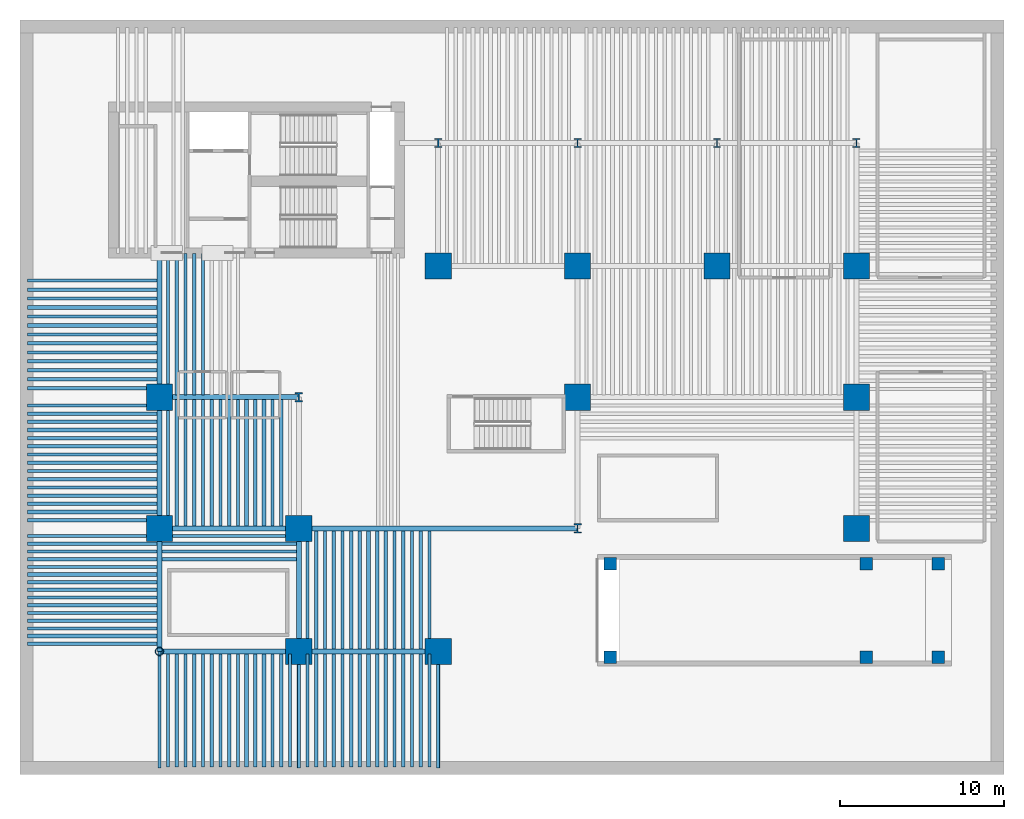
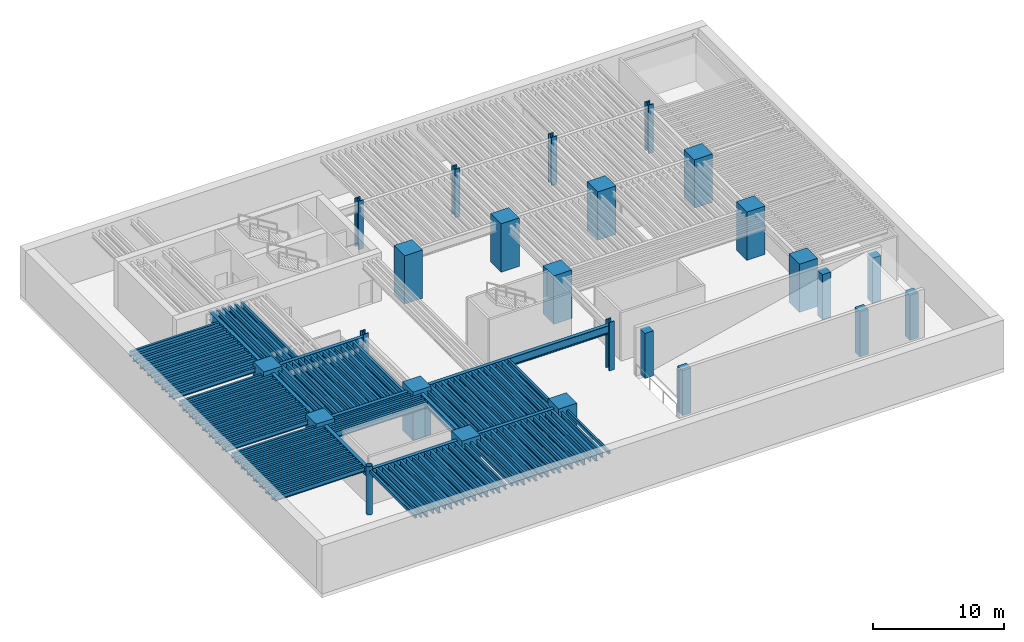
# One storey, part 1 of 9: 123 beams, 25 columns.
"""IFC4 building model written with IfcOpenShell, lengths in metres."""

from ifc_helpers import new_model, si_unit, direction, frame, origin, origin_2d, place, context, subcontext, project, spatial, rectangle, hollow_rectangle, hollow_circle, i_section, extrude, material, material_profile, profile_set, type_object, element, save


model = new_model("IFC4")

# Units and contexts
model_context = context("Model", 3, precision=1e-05, world=origin(), true_north=direction((0.0, 1.0)))
body_context = subcontext(model_context, "Body", "Model", "MODEL_VIEW")
ifc_project = project(units=[si_unit("LENGTHUNIT", "METRE"), si_unit("AREAUNIT", "SQUARE_METRE"), si_unit("VOLUMEUNIT", "CUBIC_METRE"), si_unit("PLANEANGLEUNIT", "RADIAN"), si_unit("MASSUNIT", "GRAM", prefix="KILO")], contexts=[model_context])

# Site, building, storey
site_placement = place(None, origin())
site = spatial("IfcSite", under=ifc_project, at=site_placement, CompositionType="ELEMENT")
building_placement = place(site_placement, origin())
building = spatial("IfcBuilding", under=site, at=building_placement, Name="Caeloran Harvest Quay", CompositionType="ELEMENT")
storey_placement = place(building_placement, frame((0.0, 0.0, -9.0)))
storey = spatial("IfcBuildingStorey", under=building, at=storey_placement, Name="B02", CompositionType="ELEMENT", Elevation=-9.0)

# Columns
ifc_material_1 = material(Name="Steel HISTAR 460", Category="steel")
ifc_material_profile_1 = material_profile(ifc_material_1, hollow_circle(Radius=0.25390625, WallThickness=0.02490234375, at=origin_2d()), Name="CHS 508x25")
ifc_profile_set_1 = profile_set([ifc_material_profile_1], Name="Steel HISTAR 460")
column_type_1 = type_object("IfcColumnType", Name="COL-CC-1-CHS_508x25", PredefinedType="COLUMN", material=ifc_profile_set_1)
column_placement = place(storey_placement, frame((8.5, 7.5, 0.0), z_axis=(0.0, 0.0, 1.0), x_axis=(1.0, 0.0, 0.0)))
element("IfcColumn", 1, at=column_placement, inside=storey, type_object=column_type_1, Name="B02 Structural Column (8.5, 7.5)", PredefinedType="COLUMN", context=body_context, shape_type="SweptSolid", body=[
    extrude(hollow_circle(Radius=0.25390625, WallThickness=0.02490234375, at=origin_2d()), origin(), (0.0, 0.0, 1.0), 4.5),
])
ifc_material_2 = material(Name="Concrete C80/95", Category="concrete")
ifc_material_profile_2 = material_profile(ifc_material_2, rectangle(XDim=1.60009765625, YDim=1.60009765625, at=origin_2d()), Name="RC 1600x1600")
ifc_profile_set_2 = profile_set([ifc_material_profile_2], Name="Concrete C80/95")
column_type_2 = type_object("IfcColumnType", Name="COL-MC-1-RC_1600x1600", PredefinedType="COLUMN", material=ifc_profile_set_2)
for number, where, z_axis, x_axis, name in (
    (2, (8.5, 15.0, 0.0), (0.0, 0.0, 1.0), (1.0, 0.0, 0.0), "B02 Structural Column (8.5, 15.0)"),
    (3, (8.5, 23.0, 0.0), (0.0, 0.0, 1.0), (1.0, 0.0, 0.0), "B02 Structural Column (8.5, 23.0)"),
    (4, (17.0, 7.5, 0.0), (0.0, 0.0, 1.0), (1.0, 0.0, 0.0), "B02 Structural Column (17.0, 7.5)"),
    (5, (17.0, 15.0, 0.0), (0.0, 0.0, 1.0), (1.0, 0.0, 0.0), "B02 Structural Column (17.0, 15.0)"),
    (6, (25.5, 7.5, 0.0), (0.0, 0.0, 1.0), (1.0, 0.0, 0.0), "B02 Structural Column (25.5, 7.5)"),
    (7, (25.5, 31.0, 0.0), (0.0, 0.0, 1.0), (1.0, 0.0, 0.0), "B02 Structural Column (25.5, 31.0)"),
    (8, (34.0, 23.0, 0.0), (0.0, 0.0, 1.0), (1.0, 0.0, 0.0), "B02 Structural Column (34.0, 23.0)"),
    (9, (34.0, 31.0, 0.0), (0.0, 0.0, 1.0), (1.0, 0.0, 0.0), "B02 Structural Column (34.0, 31.0)"),
    (10, (42.5, 31.0, 0.0), (0.0, 0.0, 1.0), (1.0, 0.0, 0.0), "B02 Structural Column (42.5, 31.0)"),
    (11, (51.0, 15.0, 0.0), (0.0, 0.0, 1.0), (1.0, 0.0, 0.0), "B02 Structural Column (51.0, 15.0)"),
    (12, (51.0, 23.0, 0.0), (0.0, 0.0, 1.0), (1.0, 0.0, 0.0), "B02 Structural Column (51.0, 23.0)"),
    (13, (51.0, 31.0, 0.0), (0.0, 0.0, 1.0), (1.0, 0.0, 0.0), "B02 Structural Column (51.0, 31.0)"),
):
    element("IfcColumn", number, at=place(storey_placement, frame(where, z_axis=z_axis, x_axis=x_axis)), inside=storey, type_object=column_type_2, Name=name, PredefinedType="COLUMN", context=body_context, shape_type="SweptSolid", body=[
        extrude(rectangle(XDim=1.60009765625, YDim=1.60009765625, at=origin_2d()), origin(), (0.0, 0.0, 1.0), 4.5),
    ])
ifc_material_3 = material(Name="Concrete C60/75", Category="concrete")
ifc_material_profile_3 = material_profile(ifc_material_3, rectangle(XDim=0.75, YDim=0.75, at=origin_2d()), Name="RC 750x750")
ifc_profile_set_3 = profile_set([ifc_material_profile_3], Name="Concrete C60/75")
column_type_3 = type_object("IfcColumnType", Name="COL-MC-5-RC_750x750", PredefinedType="COLUMN", material=ifc_profile_set_3)
for number, where, z_axis, x_axis, name in (
    (14, (36.0, 7.14990234375, 0.0), (0.0, 0.0, 1.0), (1.0, 0.0, 0.0), "B02 Vehicle Ramp Support Pier (36.0, 7.2)"),
    (15, (36.0, 12.85009765625, 0.0), (0.0, 0.0, 1.0), (1.0, 0.0, 0.0), "B02 Vehicle Ramp Support Pier (36.0, 12.8)"),
    (16, (51.60009765625, 7.14990234375, 0.0), (0.0, 0.0, 1.0), (1.0, 0.0, 0.0), "B02 Vehicle Ramp Support Pier (51.6, 7.2)"),
    (17, (51.60009765625, 12.85009765625, 0.0), (0.0, 0.0, 1.0), (1.0, 0.0, 0.0), "B02 Vehicle Ramp Support Pier (51.6, 12.8)"),
    (18, (56.0, 7.14990234375, 0.0), (0.0, 0.0, 1.0), (1.0, 0.0, 0.0), "B02 Vehicle Ramp Support Pier (56.0, 7.2)"),
    (19, (56.0, 12.85009765625, 0.0), (0.0, 0.0, 1.0), (1.0, 0.0, 0.0), "B02 Vehicle Ramp Support Pier (56.0, 12.8)"),
):
    element("IfcColumn", number, at=place(storey_placement, frame(where, z_axis=z_axis, x_axis=x_axis)), inside=storey, type_object=column_type_3, Name=name, PredefinedType="COLUMN", context=body_context, shape_type="SweptSolid", body=[
        extrude(rectangle(XDim=0.75, YDim=0.75, at=origin_2d()), origin(), (0.0, 0.0, 1.0), 4.199951171875),
    ])
ifc_material_profile_4 = material_profile(ifc_material_1, i_section(OverallWidth=0.4541015625, OverallDepth=0.569091796875, WebThickness=0.077880859375, FlangeThickness=0.080078125, FilletRadius=0.014892578125, at=origin_2d()), Name="HD 400x1086")
ifc_profile_set_4 = profile_set([ifc_material_profile_4], Name="Steel HISTAR 460")
column_type_4 = type_object("IfcColumnType", Name="COL-SC-1-HD_400x1086", PredefinedType="COLUMN", material=ifc_profile_set_4)
for number, where, z_axis, x_axis, name in (
    (20, (17.0, 23.0, 0.0), (0.0, 0.0, 1.0), (1.0, 0.0, 0.0), "B02 Structural Column (17.0, 23.0)"),
    (21, (25.5, 38.5, 0.0), (0.0, 0.0, 1.0), (1.0, 0.0, 0.0), "B02 Structural Column (25.5, 38.5)"),
    (22, (34.0, 15.0, 0.0), (0.0, 0.0, 1.0), (1.0, 0.0, 0.0), "B02 Structural Column (34.0, 15.0)"),
    (23, (34.0, 38.5, 0.0), (0.0, 0.0, 1.0), (1.0, 0.0, 0.0), "B02 Structural Column (34.0, 38.5)"),
    (24, (42.5, 38.5, 0.0), (0.0, 0.0, 1.0), (1.0, 0.0, 0.0), "B02 Structural Column (42.5, 38.5)"),
    (25, (51.0, 38.5, 0.0), (0.0, 0.0, 1.0), (1.0, 0.0, 0.0), "B02 Structural Column (51.0, 38.5)"),
):
    element("IfcColumn", number, at=place(storey_placement, frame(where, z_axis=z_axis, x_axis=x_axis)), inside=storey, type_object=column_type_4, Name=name, PredefinedType="COLUMN", context=body_context, shape_type="SweptSolid", body=[
        extrude(i_section(OverallWidth=0.4541015625, OverallDepth=0.569091796875, WebThickness=0.077880859375, FlangeThickness=0.080078125, FilletRadius=0.014892578125, at=origin_2d()), origin(), (0.0, 0.0, 1.0), 4.5),
    ])

# Beams
ifc_material_4 = material(Name="Steel S355J2", Category="steel")
ifc_material_profile_5 = material_profile(ifc_material_4, i_section(OverallWidth=0.300048828125, OverallDepth=0.800048828125, WebThickness=0.017578125, FlangeThickness=0.032958984375, FilletRadius=0.030029296875, at=origin_2d()), Name="HE 800 B")
ifc_profile_set_5 = profile_set([ifc_material_profile_5], Name="Steel S355J2")
beam_type_1 = type_object("IfcBeamType", Name="BM-PG-1-HE_800_B", PredefinedType="BEAM", material=ifc_profile_set_5)
for number, where, z_axis, x_axis, name in (
    (26, (8.5, 7.5, 3.75), (1.0, 0.0, 0.0), (0.0, 1.0, 0.0), "B02 Primary East-West Girder Y=7.5"),
    (27, (17.0, 7.5, 3.75), (1.0, 0.0, 0.0), (0.0, 1.0, 0.0), "B02 Primary East-West Girder Y=7.5"),
    (28, (8.5, 15.0, 3.75), (1.0, 0.0, 0.0), (0.0, 1.0, 0.0), "B02 Primary East-West Girder Y=15.0"),
):
    element("IfcBeam", number, at=place(storey_placement, frame(where, z_axis=z_axis, x_axis=x_axis)), inside=storey, type_object=beam_type_1, Name=name, PredefinedType="BEAM", context=body_context, shape_type="SweptSolid", body=[
        extrude(i_section(OverallWidth=0.300048828125, OverallDepth=0.800048828125, WebThickness=0.017578125, FlangeThickness=0.032958984375, FilletRadius=0.030029296875, at=origin_2d()), origin(), (0.0, 0.0, 1.0), 8.5),
    ])
beam_1_placement = place(storey_placement, frame((17.0, 15.0, 3.75), z_axis=(1.0, 0.0, 0.0), x_axis=(0.0, 1.0, 0.0)))
element("IfcBeam", 29, at=beam_1_placement, inside=storey, type_object=beam_type_1, Name="B02 Primary East-West Girder Y=15.0", PredefinedType="BEAM", context=body_context, shape_type="SweptSolid", body=[
    extrude(i_section(OverallWidth=0.300048828125, OverallDepth=0.800048828125, WebThickness=0.017578125, FlangeThickness=0.032958984375, FilletRadius=0.030029296875, at=origin_2d()), origin(), (0.0, 0.0, 1.0), 17.0),
])
beam_2_placement = place(storey_placement, frame((8.5, 23.0, 3.75), z_axis=(1.0, 0.0, 0.0), x_axis=(0.0, 1.0, 0.0)))
element("IfcBeam", 30, at=beam_2_placement, inside=storey, type_object=beam_type_1, Name="B02 Primary East-West Girder Y=23.0", PredefinedType="BEAM", context=body_context, shape_type="SweptSolid", body=[
    extrude(i_section(OverallWidth=0.300048828125, OverallDepth=0.800048828125, WebThickness=0.017578125, FlangeThickness=0.032958984375, FilletRadius=0.030029296875, at=origin_2d()), origin(), (0.0, 0.0, 1.0), 8.5),
])
beam_3_placement = place(storey_placement, frame((8.5, 7.5, 3.75), z_axis=(0.0, 1.0, 0.0), x_axis=(-1.0, 0.0, 0.0)))
element("IfcBeam", 31, at=beam_3_placement, inside=storey, type_object=beam_type_1, Name="B02 Primary North-South Girder X=8.5", PredefinedType="BEAM", context=body_context, shape_type="SweptSolid", body=[
    extrude(i_section(OverallWidth=0.300048828125, OverallDepth=0.800048828125, WebThickness=0.017578125, FlangeThickness=0.032958984375, FilletRadius=0.030029296875, at=origin_2d()), origin(), (0.0, 0.0, 1.0), 7.5),
])
beam_4_placement = place(storey_placement, frame((8.5, 15.0, 3.75), z_axis=(0.0, 1.0, 0.0), x_axis=(-1.0, 0.0, 0.0)))
element("IfcBeam", 32, at=beam_4_placement, inside=storey, type_object=beam_type_1, Name="B02 Primary North-South Girder X=8.5", PredefinedType="BEAM", context=body_context, shape_type="SweptSolid", body=[
    extrude(i_section(OverallWidth=0.300048828125, OverallDepth=0.800048828125, WebThickness=0.017578125, FlangeThickness=0.032958984375, FilletRadius=0.030029296875, at=origin_2d()), origin(), (0.0, 0.0, 1.0), 8.0),
])
beam_5_placement = place(storey_placement, frame((8.5, 23.0, 3.75), z_axis=(0.0, 1.0, 0.0), x_axis=(-1.0, 0.0, 0.0)))
element("IfcBeam", 33, at=beam_5_placement, inside=storey, type_object=beam_type_1, Name="B02 Core South Tie Girder X=8.5", PredefinedType="BEAM", context=body_context, shape_type="SweptSolid", body=[
    extrude(i_section(OverallWidth=0.300048828125, OverallDepth=0.800048828125, WebThickness=0.017578125, FlangeThickness=0.032958984375, FilletRadius=0.030029296875, at=origin_2d()), origin(), (0.0, 0.0, 1.0), 8.75),
])
beam_6_placement = place(storey_placement, frame((17.0, 7.5, 3.75), z_axis=(0.0, 1.0, 0.0), x_axis=(-1.0, 0.0, 0.0)))
element("IfcBeam", 34, at=beam_6_placement, inside=storey, type_object=beam_type_1, Name="B02 Primary North-South Girder X=17.0", PredefinedType="BEAM", context=body_context, shape_type="SweptSolid", body=[
    extrude(i_section(OverallWidth=0.300048828125, OverallDepth=0.800048828125, WebThickness=0.017578125, FlangeThickness=0.032958984375, FilletRadius=0.030029296875, at=origin_2d()), origin(), (0.0, 0.0, 1.0), 7.5),
])
ifc_material_profile_6 = material_profile(ifc_material_4, i_section(OverallWidth=0.219970703125, OverallDepth=0.60009765625, WebThickness=0.011962890625, FlangeThickness=0.01904296875, FilletRadius=0.02392578125, at=origin_2d()), Name="IPE 600")
ifc_profile_set_6 = profile_set([ifc_material_profile_6], Name="Steel S355J2")
beam_type_2 = type_object("IfcBeamType", Name="BM-SB-1-IPE_600", PredefinedType="JOIST", material=ifc_profile_set_6)
for number, where, z_axis, x_axis, name in (
    (35, (9.5625, 0.449951171875, 3.85009765625), (0.0, 1.0, 0.0), (-1.0, 0.0, 0.0), "B02 Secondary Composite Joist"),
    (36, (10.625, 0.449951171875, 3.85009765625), (0.0, 1.0, 0.0), (-1.0, 0.0, 0.0), "B02 Secondary Composite Joist"),
    (37, (11.6875, 0.449951171875, 3.85009765625), (0.0, 1.0, 0.0), (-1.0, 0.0, 0.0), "B02 Secondary Composite Joist"),
    (38, (12.75, 0.449951171875, 3.85009765625), (0.0, 1.0, 0.0), (-1.0, 0.0, 0.0), "B02 Secondary Composite Joist"),
    (39, (13.8125, 0.449951171875, 3.85009765625), (0.0, 1.0, 0.0), (-1.0, 0.0, 0.0), "B02 Secondary Composite Joist"),
    (40, (14.875, 0.449951171875, 3.85009765625), (0.0, 1.0, 0.0), (-1.0, 0.0, 0.0), "B02 Secondary Composite Joist"),
    (41, (15.9375, 0.449951171875, 3.85009765625), (0.0, 1.0, 0.0), (-1.0, 0.0, 0.0), "B02 Secondary Composite Joist"),
    (42, (18.0625, 0.449951171875, 3.85009765625), (0.0, 1.0, 0.0), (-1.0, 0.0, 0.0), "B02 Secondary Composite Joist"),
    (43, (19.125, 0.449951171875, 3.85009765625), (0.0, 1.0, 0.0), (-1.0, 0.0, 0.0), "B02 Secondary Composite Joist"),
    (44, (20.1875, 0.449951171875, 3.85009765625), (0.0, 1.0, 0.0), (-1.0, 0.0, 0.0), "B02 Secondary Composite Joist"),
    (45, (21.25, 0.449951171875, 3.85009765625), (0.0, 1.0, 0.0), (-1.0, 0.0, 0.0), "B02 Secondary Composite Joist"),
    (46, (22.3125, 0.449951171875, 3.85009765625), (0.0, 1.0, 0.0), (-1.0, 0.0, 0.0), "B02 Secondary Composite Joist"),
    (47, (23.375, 0.449951171875, 3.85009765625), (0.0, 1.0, 0.0), (-1.0, 0.0, 0.0), "B02 Secondary Composite Joist"),
    (48, (24.4375, 0.449951171875, 3.85009765625), (0.0, 1.0, 0.0), (-1.0, 0.0, 0.0), "B02 Secondary Composite Joist"),
):
    element("IfcBeam", number, at=place(storey_placement, frame(where, z_axis=z_axis, x_axis=x_axis)), inside=storey, type_object=beam_type_2, Name=name, PredefinedType="JOIST", context=body_context, shape_type="SweptSolid", body=[
        extrude(i_section(OverallWidth=0.219970703125, OverallDepth=0.60009765625, WebThickness=0.011962890625, FlangeThickness=0.01904296875, FilletRadius=0.02392578125, at=origin_2d()), origin(), (0.0, 0.0, 1.0), 6.905029296875),
    ])
for number, where, z_axis, x_axis, name in (
    (49, (18.0625, 7.64501953125, 3.85009765625), (0.0, 1.0, 0.0), (-1.0, 0.0, 0.0), "B02 Secondary Composite Joist"),
    (50, (19.125, 7.64501953125, 3.85009765625), (0.0, 1.0, 0.0), (-1.0, 0.0, 0.0), "B02 Secondary Composite Joist"),
    (51, (20.1875, 7.64501953125, 3.85009765625), (0.0, 1.0, 0.0), (-1.0, 0.0, 0.0), "B02 Secondary Composite Joist"),
    (52, (21.25, 7.64501953125, 3.85009765625), (0.0, 1.0, 0.0), (-1.0, 0.0, 0.0), "B02 Secondary Composite Joist"),
    (53, (22.3125, 7.64501953125, 3.85009765625), (0.0, 1.0, 0.0), (-1.0, 0.0, 0.0), "B02 Secondary Composite Joist"),
    (54, (23.375, 7.64501953125, 3.85009765625), (0.0, 1.0, 0.0), (-1.0, 0.0, 0.0), "B02 Secondary Composite Joist"),
    (55, (24.4375, 7.64501953125, 3.85009765625), (0.0, 1.0, 0.0), (-1.0, 0.0, 0.0), "B02 Secondary Composite Joist"),
):
    element("IfcBeam", number, at=place(storey_placement, frame(where, z_axis=z_axis, x_axis=x_axis)), inside=storey, type_object=beam_type_2, Name=name, PredefinedType="JOIST", context=body_context, shape_type="SweptSolid", body=[
        extrude(i_section(OverallWidth=0.219970703125, OverallDepth=0.60009765625, WebThickness=0.011962890625, FlangeThickness=0.01904296875, FilletRadius=0.02392578125, at=origin_2d()), origin(), (0.0, 0.0, 1.0), 7.2099609375),
    ])
for number, where, z_axis, x_axis, name in (
    (56, (9.5625, 15.14501953125, 3.85009765625), (0.0, 1.0, 0.0), (-1.0, 0.0, 0.0), "B02 Secondary Composite Joist"),
    (57, (10.625, 15.14501953125, 3.85009765625), (0.0, 1.0, 0.0), (-1.0, 0.0, 0.0), "B02 Secondary Composite Joist"),
    (58, (11.6875, 15.14501953125, 3.85009765625), (0.0, 1.0, 0.0), (-1.0, 0.0, 0.0), "B02 Secondary Composite Joist"),
    (59, (12.75, 15.14501953125, 3.85009765625), (0.0, 1.0, 0.0), (-1.0, 0.0, 0.0), "B02 Secondary Composite Joist"),
    (60, (13.8125, 15.14501953125, 3.85009765625), (0.0, 1.0, 0.0), (-1.0, 0.0, 0.0), "B02 Secondary Composite Joist"),
    (61, (14.875, 15.14501953125, 3.85009765625), (0.0, 1.0, 0.0), (-1.0, 0.0, 0.0), "B02 Secondary Composite Joist"),
    (62, (15.9375, 15.14501953125, 3.85009765625), (0.0, 1.0, 0.0), (-1.0, 0.0, 0.0), "B02 Secondary Composite Joist"),
):
    element("IfcBeam", number, at=place(storey_placement, frame(where, z_axis=z_axis, x_axis=x_axis)), inside=storey, type_object=beam_type_2, Name=name, PredefinedType="JOIST", context=body_context, shape_type="SweptSolid", body=[
        extrude(i_section(OverallWidth=0.219970703125, OverallDepth=0.60009765625, WebThickness=0.011962890625, FlangeThickness=0.01904296875, FilletRadius=0.02392578125, at=origin_2d()), origin(), (0.0, 0.0, 1.0), 7.7099609375),
    ])
for number, where, z_axis, x_axis, name in (
    (63, (9.5625, 23.14501953125, 3.85009765625), (0.0, 1.0, 0.0), (-1.0, 0.0, 0.0), "B02 Secondary Composite Joist"),
    (64, (10.625, 23.14501953125, 3.85009765625), (0.0, 1.0, 0.0), (-1.0, 0.0, 0.0), "B02 Secondary Composite Joist"),
):
    element("IfcBeam", number, at=place(storey_placement, frame(where, z_axis=z_axis, x_axis=x_axis)), inside=storey, type_object=beam_type_2, Name=name, PredefinedType="JOIST", context=body_context, shape_type="SweptSolid", body=[
        extrude(i_section(OverallWidth=0.219970703125, OverallDepth=0.60009765625, WebThickness=0.011962890625, FlangeThickness=0.01904296875, FilletRadius=0.02392578125, at=origin_2d()), origin(), (0.0, 0.0, 1.0), 8.60498046875),
    ])
for number, where, z_axis, x_axis, name in (
    (65, (0.449951171875, 8.4375, 3.85009765625), (1.0, 0.0, 0.0), (0.0, 1.0, 0.0), "B02 Secondary East-West Composite Joist"),
    (66, (0.449951171875, 9.375, 3.85009765625), (1.0, 0.0, 0.0), (0.0, 1.0, 0.0), "B02 Secondary East-West Composite Joist"),
    (67, (0.449951171875, 10.3125, 3.85009765625), (1.0, 0.0, 0.0), (0.0, 1.0, 0.0), "B02 Secondary East-West Composite Joist"),
    (68, (0.449951171875, 11.25, 3.85009765625), (1.0, 0.0, 0.0), (0.0, 1.0, 0.0), "B02 Secondary East-West Composite Joist"),
    (69, (0.449951171875, 12.1875, 3.85009765625), (1.0, 0.0, 0.0), (0.0, 1.0, 0.0), "B02 Secondary East-West Composite Joist"),
    (70, (0.449951171875, 13.125, 3.85009765625), (1.0, 0.0, 0.0), (0.0, 1.0, 0.0), "B02 Secondary East-West Composite Joist"),
    (71, (0.449951171875, 14.0625, 3.85009765625), (1.0, 0.0, 0.0), (0.0, 1.0, 0.0), "B02 Secondary East-West Composite Joist"),
    (72, (0.449951171875, 16.0, 3.85009765625), (1.0, 0.0, 0.0), (0.0, 1.0, 0.0), "B02 Secondary East-West Composite Joist"),
    (73, (0.449951171875, 17.0, 3.85009765625), (1.0, 0.0, 0.0), (0.0, 1.0, 0.0), "B02 Secondary East-West Composite Joist"),
    (74, (0.449951171875, 18.0, 3.85009765625), (1.0, 0.0, 0.0), (0.0, 1.0, 0.0), "B02 Secondary East-West Composite Joist"),
    (75, (0.449951171875, 19.0, 3.85009765625), (1.0, 0.0, 0.0), (0.0, 1.0, 0.0), "B02 Secondary East-West Composite Joist"),
    (76, (0.449951171875, 20.0, 3.85009765625), (1.0, 0.0, 0.0), (0.0, 1.0, 0.0), "B02 Secondary East-West Composite Joist"),
    (77, (0.449951171875, 21.0, 3.85009765625), (1.0, 0.0, 0.0), (0.0, 1.0, 0.0), "B02 Secondary East-West Composite Joist"),
    (78, (0.449951171875, 22.0, 3.85009765625), (1.0, 0.0, 0.0), (0.0, 1.0, 0.0), "B02 Secondary East-West Composite Joist"),
    (79, (0.449951171875, 24.09375, 3.85009765625), (1.0, 0.0, 0.0), (0.0, 1.0, 0.0), "B02 Secondary East-West Composite Joist"),
    (80, (0.449951171875, 25.1875, 3.85009765625), (1.0, 0.0, 0.0), (0.0, 1.0, 0.0), "B02 Secondary East-West Composite Joist"),
    (81, (0.449951171875, 26.28125, 3.85009765625), (1.0, 0.0, 0.0), (0.0, 1.0, 0.0), "B02 Secondary East-West Composite Joist"),
    (82, (0.449951171875, 27.375, 3.85009765625), (1.0, 0.0, 0.0), (0.0, 1.0, 0.0), "B02 Secondary East-West Composite Joist"),
    (83, (0.449951171875, 28.46875, 3.85009765625), (1.0, 0.0, 0.0), (0.0, 1.0, 0.0), "B02 Secondary East-West Composite Joist"),
    (84, (0.449951171875, 29.5625, 3.85009765625), (1.0, 0.0, 0.0), (0.0, 1.0, 0.0), "B02 Secondary East-West Composite Joist"),
):
    element("IfcBeam", number, at=place(storey_placement, frame(where, z_axis=z_axis, x_axis=x_axis)), inside=storey, type_object=beam_type_2, Name=name, PredefinedType="JOIST", context=body_context, shape_type="SweptSolid", body=[
        extrude(i_section(OverallWidth=0.219970703125, OverallDepth=0.60009765625, WebThickness=0.011962890625, FlangeThickness=0.01904296875, FilletRadius=0.02392578125, at=origin_2d()), origin(), (0.0, 0.0, 1.0), 7.905029296875),
    ])
for number, where, z_axis, x_axis, name in (
    (85, (8.64501953125, 13.125, 3.85009765625), (1.0, 0.0, 0.0), (0.0, 1.0, 0.0), "B02 Secondary East-West Composite Joist"),
    (86, (8.64501953125, 14.0625, 3.85009765625), (1.0, 0.0, 0.0), (0.0, 1.0, 0.0), "B02 Secondary East-West Composite Joist"),
):
    element("IfcBeam", number, at=place(storey_placement, frame(where, z_axis=z_axis, x_axis=x_axis)), inside=storey, type_object=beam_type_2, Name=name, PredefinedType="JOIST", context=body_context, shape_type="SweptSolid", body=[
        extrude(i_section(OverallWidth=0.219970703125, OverallDepth=0.60009765625, WebThickness=0.011962890625, FlangeThickness=0.01904296875, FilletRadius=0.02392578125, at=origin_2d()), origin(), (0.0, 0.0, 1.0), 8.2099609375),
    ])
ifc_material_profile_7 = material_profile(ifc_material_4, i_section(OverallWidth=0.18994140625, OverallDepth=0.449951171875, WebThickness=0.009521484375, FlangeThickness=0.0146484375, FilletRadius=0.02099609375, at=origin_2d()), Name="IPE 450")
ifc_profile_set_7 = profile_set([ifc_material_profile_7], Name="Steel S355J2")
beam_type_3 = type_object("IfcBeamType", Name="BM-SB-3-IPE_450", PredefinedType="JOIST", material=ifc_profile_set_7)
for number, where, z_axis, x_axis, name in (
    (87, (9.03125, 0.449951171875, 3.925048828125), (0.0, 1.0, 0.0), (-1.0, 0.0, 0.0), "B02 Secondary Composite Joist"),
    (88, (10.09375, 0.449951171875, 3.925048828125), (0.0, 1.0, 0.0), (-1.0, 0.0, 0.0), "B02 Secondary Composite Joist"),
    (89, (11.15625, 0.449951171875, 3.925048828125), (0.0, 1.0, 0.0), (-1.0, 0.0, 0.0), "B02 Secondary Composite Joist"),
    (90, (12.21875, 0.449951171875, 3.925048828125), (0.0, 1.0, 0.0), (-1.0, 0.0, 0.0), "B02 Secondary Composite Joist"),
    (91, (13.28125, 0.449951171875, 3.925048828125), (0.0, 1.0, 0.0), (-1.0, 0.0, 0.0), "B02 Secondary Composite Joist"),
    (92, (14.34375, 0.449951171875, 3.925048828125), (0.0, 1.0, 0.0), (-1.0, 0.0, 0.0), "B02 Secondary Composite Joist"),
    (93, (15.40625, 0.449951171875, 3.925048828125), (0.0, 1.0, 0.0), (-1.0, 0.0, 0.0), "B02 Secondary Composite Joist"),
    (94, (16.46875, 0.449951171875, 3.925048828125), (0.0, 1.0, 0.0), (-1.0, 0.0, 0.0), "B02 Secondary Composite Joist"),
    (95, (17.53125, 0.449951171875, 3.925048828125), (0.0, 1.0, 0.0), (-1.0, 0.0, 0.0), "B02 Secondary Composite Joist"),
    (96, (18.59375, 0.449951171875, 3.925048828125), (0.0, 1.0, 0.0), (-1.0, 0.0, 0.0), "B02 Secondary Composite Joist"),
    (97, (19.65625, 0.449951171875, 3.925048828125), (0.0, 1.0, 0.0), (-1.0, 0.0, 0.0), "B02 Secondary Composite Joist"),
    (98, (20.71875, 0.449951171875, 3.925048828125), (0.0, 1.0, 0.0), (-1.0, 0.0, 0.0), "B02 Secondary Composite Joist"),
    (99, (21.78125, 0.449951171875, 3.925048828125), (0.0, 1.0, 0.0), (-1.0, 0.0, 0.0), "B02 Secondary Composite Joist"),
    (100, (22.84375, 0.449951171875, 3.925048828125), (0.0, 1.0, 0.0), (-1.0, 0.0, 0.0), "B02 Secondary Composite Joist"),
    (101, (23.90625, 0.449951171875, 3.925048828125), (0.0, 1.0, 0.0), (-1.0, 0.0, 0.0), "B02 Secondary Composite Joist"),
    (102, (24.96875, 0.449951171875, 3.925048828125), (0.0, 1.0, 0.0), (-1.0, 0.0, 0.0), "B02 Secondary Composite Joist"),
):
    element("IfcBeam", number, at=place(storey_placement, frame(where, z_axis=z_axis, x_axis=x_axis)), inside=storey, type_object=beam_type_3, Name=name, PredefinedType="JOIST", context=body_context, shape_type="SweptSolid", body=[
        extrude(i_section(OverallWidth=0.18994140625, OverallDepth=0.449951171875, WebThickness=0.009521484375, FlangeThickness=0.0146484375, FilletRadius=0.02099609375, at=origin_2d()), origin(), (0.0, 0.0, 1.0), 6.905029296875),
    ])
for number, where, z_axis, x_axis, name in (
    (103, (17.53125, 7.64501953125, 3.925048828125), (0.0, 1.0, 0.0), (-1.0, 0.0, 0.0), "B02 Secondary Composite Joist"),
    (104, (18.59375, 7.64501953125, 3.925048828125), (0.0, 1.0, 0.0), (-1.0, 0.0, 0.0), "B02 Secondary Composite Joist"),
    (105, (19.65625, 7.64501953125, 3.925048828125), (0.0, 1.0, 0.0), (-1.0, 0.0, 0.0), "B02 Secondary Composite Joist"),
    (106, (20.71875, 7.64501953125, 3.925048828125), (0.0, 1.0, 0.0), (-1.0, 0.0, 0.0), "B02 Secondary Composite Joist"),
    (107, (21.78125, 7.64501953125, 3.925048828125), (0.0, 1.0, 0.0), (-1.0, 0.0, 0.0), "B02 Secondary Composite Joist"),
    (108, (22.84375, 7.64501953125, 3.925048828125), (0.0, 1.0, 0.0), (-1.0, 0.0, 0.0), "B02 Secondary Composite Joist"),
    (109, (23.90625, 7.64501953125, 3.925048828125), (0.0, 1.0, 0.0), (-1.0, 0.0, 0.0), "B02 Secondary Composite Joist"),
    (110, (24.96875, 7.64501953125, 3.925048828125), (0.0, 1.0, 0.0), (-1.0, 0.0, 0.0), "B02 Secondary Composite Joist"),
):
    element("IfcBeam", number, at=place(storey_placement, frame(where, z_axis=z_axis, x_axis=x_axis)), inside=storey, type_object=beam_type_3, Name=name, PredefinedType="JOIST", context=body_context, shape_type="SweptSolid", body=[
        extrude(i_section(OverallWidth=0.18994140625, OverallDepth=0.449951171875, WebThickness=0.009521484375, FlangeThickness=0.0146484375, FilletRadius=0.02099609375, at=origin_2d()), origin(), (0.0, 0.0, 1.0), 7.2099609375),
    ])
for number, where, z_axis, x_axis, name in (
    (111, (9.03125, 15.14501953125, 3.925048828125), (0.0, 1.0, 0.0), (-1.0, 0.0, 0.0), "B02 Secondary Composite Joist"),
    (112, (10.09375, 15.14501953125, 3.925048828125), (0.0, 1.0, 0.0), (-1.0, 0.0, 0.0), "B02 Secondary Composite Joist"),
    (113, (11.15625, 15.14501953125, 3.925048828125), (0.0, 1.0, 0.0), (-1.0, 0.0, 0.0), "B02 Secondary Composite Joist"),
    (114, (12.21875, 15.14501953125, 3.925048828125), (0.0, 1.0, 0.0), (-1.0, 0.0, 0.0), "B02 Secondary Composite Joist"),
    (115, (13.28125, 15.14501953125, 3.925048828125), (0.0, 1.0, 0.0), (-1.0, 0.0, 0.0), "B02 Secondary Composite Joist"),
    (116, (14.34375, 15.14501953125, 3.925048828125), (0.0, 1.0, 0.0), (-1.0, 0.0, 0.0), "B02 Secondary Composite Joist"),
    (117, (15.40625, 15.14501953125, 3.925048828125), (0.0, 1.0, 0.0), (-1.0, 0.0, 0.0), "B02 Secondary Composite Joist"),
):
    element("IfcBeam", number, at=place(storey_placement, frame(where, z_axis=z_axis, x_axis=x_axis)), inside=storey, type_object=beam_type_3, Name=name, PredefinedType="JOIST", context=body_context, shape_type="SweptSolid", body=[
        extrude(i_section(OverallWidth=0.18994140625, OverallDepth=0.449951171875, WebThickness=0.009521484375, FlangeThickness=0.0146484375, FilletRadius=0.02099609375, at=origin_2d()), origin(), (0.0, 0.0, 1.0), 7.7099609375),
    ])
for number, where, z_axis, x_axis, name in (
    (118, (9.03125, 23.14501953125, 3.925048828125), (0.0, 1.0, 0.0), (-1.0, 0.0, 0.0), "B02 Secondary Composite Joist"),
    (119, (10.09375, 23.14501953125, 3.925048828125), (0.0, 1.0, 0.0), (-1.0, 0.0, 0.0), "B02 Secondary Composite Joist"),
    (120, (11.15625, 23.14501953125, 3.925048828125), (0.0, 1.0, 0.0), (-1.0, 0.0, 0.0), "B02 Secondary Composite Joist"),
):
    element("IfcBeam", number, at=place(storey_placement, frame(where, z_axis=z_axis, x_axis=x_axis)), inside=storey, type_object=beam_type_3, Name=name, PredefinedType="JOIST", context=body_context, shape_type="SweptSolid", body=[
        extrude(i_section(OverallWidth=0.18994140625, OverallDepth=0.449951171875, WebThickness=0.009521484375, FlangeThickness=0.0146484375, FilletRadius=0.02099609375, at=origin_2d()), origin(), (0.0, 0.0, 1.0), 8.60498046875),
    ])
for number, where, z_axis, x_axis, name in (
    (121, (0.449951171875, 7.96875, 3.925048828125), (1.0, 0.0, 0.0), (0.0, 1.0, 0.0), "B02 Secondary East-West Composite Joist"),
    (122, (0.449951171875, 8.90625, 3.925048828125), (1.0, 0.0, 0.0), (0.0, 1.0, 0.0), "B02 Secondary East-West Composite Joist"),
    (123, (0.449951171875, 9.84375, 3.925048828125), (1.0, 0.0, 0.0), (0.0, 1.0, 0.0), "B02 Secondary East-West Composite Joist"),
    (124, (0.449951171875, 10.78125, 3.925048828125), (1.0, 0.0, 0.0), (0.0, 1.0, 0.0), "B02 Secondary East-West Composite Joist"),
    (125, (0.449951171875, 11.71875, 3.925048828125), (1.0, 0.0, 0.0), (0.0, 1.0, 0.0), "B02 Secondary East-West Composite Joist"),
    (126, (0.449951171875, 12.65625, 3.925048828125), (1.0, 0.0, 0.0), (0.0, 1.0, 0.0), "B02 Secondary East-West Composite Joist"),
    (127, (0.449951171875, 13.59375, 3.925048828125), (1.0, 0.0, 0.0), (0.0, 1.0, 0.0), "B02 Secondary East-West Composite Joist"),
    (128, (0.449951171875, 14.53125, 3.925048828125), (1.0, 0.0, 0.0), (0.0, 1.0, 0.0), "B02 Secondary East-West Composite Joist"),
    (129, (0.449951171875, 15.5, 3.925048828125), (1.0, 0.0, 0.0), (0.0, 1.0, 0.0), "B02 Secondary East-West Composite Joist"),
    (130, (0.449951171875, 16.5, 3.925048828125), (1.0, 0.0, 0.0), (0.0, 1.0, 0.0), "B02 Secondary East-West Composite Joist"),
    (131, (0.449951171875, 17.5, 3.925048828125), (1.0, 0.0, 0.0), (0.0, 1.0, 0.0), "B02 Secondary East-West Composite Joist"),
    (132, (0.449951171875, 18.5, 3.925048828125), (1.0, 0.0, 0.0), (0.0, 1.0, 0.0), "B02 Secondary East-West Composite Joist"),
    (133, (0.449951171875, 19.5, 3.925048828125), (1.0, 0.0, 0.0), (0.0, 1.0, 0.0), "B02 Secondary East-West Composite Joist"),
    (134, (0.449951171875, 20.5, 3.925048828125), (1.0, 0.0, 0.0), (0.0, 1.0, 0.0), "B02 Secondary East-West Composite Joist"),
    (135, (0.449951171875, 21.5, 3.925048828125), (1.0, 0.0, 0.0), (0.0, 1.0, 0.0), "B02 Secondary East-West Composite Joist"),
    (136, (0.449951171875, 22.5, 3.925048828125), (1.0, 0.0, 0.0), (0.0, 1.0, 0.0), "B02 Secondary East-West Composite Joist"),
    (137, (0.449951171875, 23.546875, 3.925048828125), (1.0, 0.0, 0.0), (0.0, 1.0, 0.0), "B02 Secondary East-West Composite Joist"),
    (138, (0.449951171875, 24.640625, 3.925048828125), (1.0, 0.0, 0.0), (0.0, 1.0, 0.0), "B02 Secondary East-West Composite Joist"),
    (139, (0.449951171875, 25.734375, 3.925048828125), (1.0, 0.0, 0.0), (0.0, 1.0, 0.0), "B02 Secondary East-West Composite Joist"),
    (140, (0.449951171875, 26.828125, 3.925048828125), (1.0, 0.0, 0.0), (0.0, 1.0, 0.0), "B02 Secondary East-West Composite Joist"),
    (141, (0.449951171875, 27.921875, 3.925048828125), (1.0, 0.0, 0.0), (0.0, 1.0, 0.0), "B02 Secondary East-West Composite Joist"),
    (142, (0.449951171875, 29.015625, 3.925048828125), (1.0, 0.0, 0.0), (0.0, 1.0, 0.0), "B02 Secondary East-West Composite Joist"),
    (143, (0.449951171875, 30.109375, 3.925048828125), (1.0, 0.0, 0.0), (0.0, 1.0, 0.0), "B02 Secondary East-West Composite Joist"),
):
    element("IfcBeam", number, at=place(storey_placement, frame(where, z_axis=z_axis, x_axis=x_axis)), inside=storey, type_object=beam_type_3, Name=name, PredefinedType="JOIST", context=body_context, shape_type="SweptSolid", body=[
        extrude(i_section(OverallWidth=0.18994140625, OverallDepth=0.449951171875, WebThickness=0.009521484375, FlangeThickness=0.0146484375, FilletRadius=0.02099609375, at=origin_2d()), origin(), (0.0, 0.0, 1.0), 7.905029296875),
    ])
for number, where, z_axis, x_axis, name in (
    (144, (8.64501953125, 13.59375, 3.925048828125), (1.0, 0.0, 0.0), (0.0, 1.0, 0.0), "B02 Secondary East-West Composite Joist"),
    (145, (8.64501953125, 14.53125, 3.925048828125), (1.0, 0.0, 0.0), (0.0, 1.0, 0.0), "B02 Secondary East-West Composite Joist"),
):
    element("IfcBeam", number, at=place(storey_placement, frame(where, z_axis=z_axis, x_axis=x_axis)), inside=storey, type_object=beam_type_3, Name=name, PredefinedType="JOIST", context=body_context, shape_type="SweptSolid", body=[
        extrude(i_section(OverallWidth=0.18994140625, OverallDepth=0.449951171875, WebThickness=0.009521484375, FlangeThickness=0.0146484375, FilletRadius=0.02099609375, at=origin_2d()), origin(), (0.0, 0.0, 1.0), 8.2099609375),
    ])
ifc_material_profile_8 = material_profile(ifc_material_4, hollow_rectangle(XDim=0.199951171875, YDim=0.300048828125, WallThickness=0.012451171875, InnerFilletRadius=0.012451171875, OuterFilletRadius=0.018798828125, at=origin_2d()), Name="RHS 300x200x12.5")
ifc_profile_set_8 = profile_set([ifc_material_profile_8], Name="Steel S355J2")
beam_type_4 = type_object("IfcBeamType", Name="BM-SP-2-RHS_300x200x12.5", PredefinedType="SPANDREL", material=ifc_profile_set_8)
for number, where, z_axis, x_axis, name in (
    (146, (8.5, 0.39990234375, 4.0), (0.0, 1.0, 0.0), (-1.0, 0.0, 0.0), "B02 Diaphragm Tie Spandrel Beam X=8.5"),
    (147, (17.0, 0.39990234375, 4.0), (0.0, 1.0, 0.0), (-1.0, 0.0, 0.0), "B02 Diaphragm Tie Spandrel Beam X=17.0"),
    (148, (25.5, 0.39990234375, 4.0), (0.0, 1.0, 0.0), (-1.0, 0.0, 0.0), "B02 Diaphragm Tie Spandrel Beam X=25.5"),
):
    element("IfcBeam", number, at=place(storey_placement, frame(where, z_axis=z_axis, x_axis=x_axis)), inside=storey, type_object=beam_type_4, Name=name, PredefinedType="SPANDREL", context=body_context, shape_type="SweptSolid", body=[
        extrude(hollow_rectangle(XDim=0.199951171875, YDim=0.300048828125, WallThickness=0.012451171875, InnerFilletRadius=0.012451171875, OuterFilletRadius=0.018798828125, at=origin_2d()), origin(), (0.0, 0.0, 1.0), 7.10009765625),
    ])

save(model, "model.ifc")
